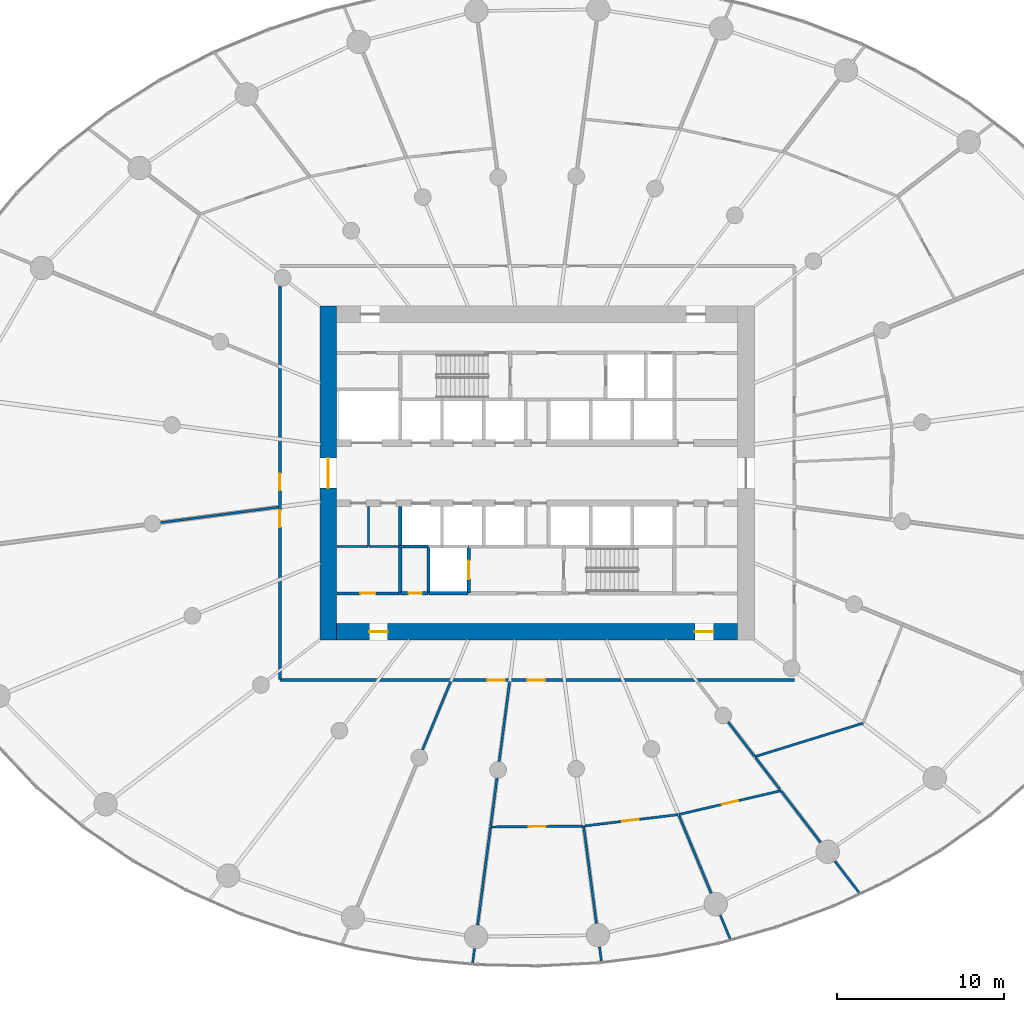
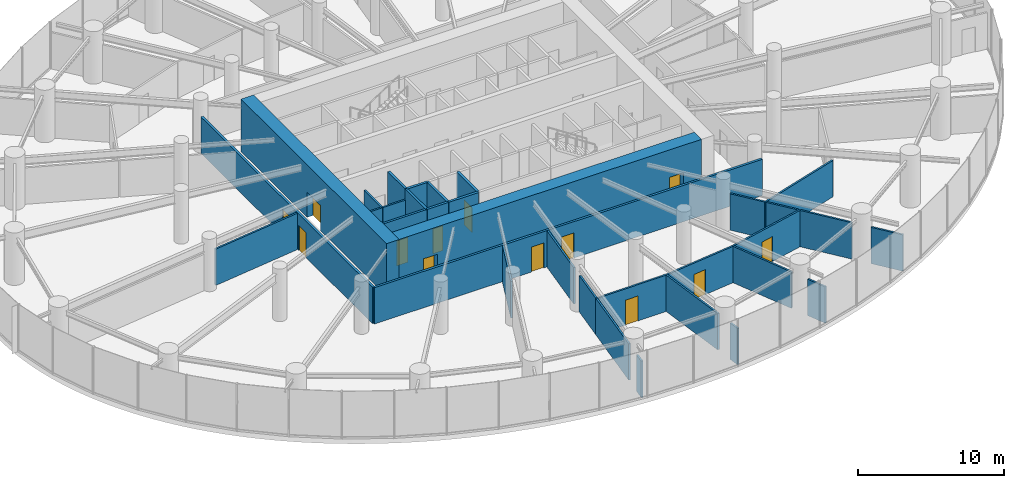
# One storey, part 12 of 19: 33 walls, 13 doors, 13 openings.
"""IFC4 building model written with IfcOpenShell, lengths in metres."""

from ifc_helpers import new_model, si_unit, direction, frame, frame_2d, origin, place, context, subcontext, project, spatial, rectangle, extrude, source, transform, mapped, material, layer, layer_set, type_object, element, fill, save


model = new_model("IFC4")

# Units and contexts
model_context = context("Model", 3, precision=1e-05, world=origin(), true_north=direction((0.0, 1.0)))
body_context = subcontext(model_context, "Body", "Model", "MODEL_VIEW")
ifc_project = project(units=[si_unit("LENGTHUNIT", "METRE"), si_unit("AREAUNIT", "SQUARE_METRE"), si_unit("VOLUMEUNIT", "CUBIC_METRE"), si_unit("PLANEANGLEUNIT", "RADIAN"), si_unit("MASSUNIT", "GRAM", prefix="KILO")], contexts=[model_context])

# Site, building, storey
site_placement = place(None, origin())
site = spatial("IfcSite", under=ifc_project, at=site_placement, CompositionType="ELEMENT")
building_placement = place(site_placement, origin())
building = spatial("IfcBuilding", under=site, at=building_placement, Name="Spindrift Exchange Tower", CompositionType="ELEMENT")
storey_placement = place(building_placement, frame((0.0, 0.0, 27.0)))
storey = spatial("IfcBuildingStorey", under=building, at=storey_placement, Name="L06", CompositionType="ELEMENT", Elevation=27.0)

# Wall, opening, door
ifc_material_1 = material(Name="Concrete 80 MPa", Category="concrete")
ifc_layer_1 = layer(ifc_material_1, 1.0)
ifc_layer_set_1 = layer_set([ifc_layer_1], Name="RC Core Wall 1000 Concrete 80 MPa")
wall_type_1 = type_object("IfcWallType", Name="RC Core Wall 1000 Concrete 80 MPa", PredefinedType="SHEAR", material=ifc_layer_set_1)
wall_1_placement = place(storey_placement, frame((39.5, 58.0, 0.0), z_axis=(0.0, 0.0, 1.0), x_axis=(0.0, -1.0, 0.0)))
wall_1 = element("IfcWall", 1, at=wall_1_placement, inside=storey, type_object=wall_type_1, Name="Core wall W L06", PredefinedType="SHEAR", context=body_context, shape_type="SweptSolid", body=[
    extrude(rectangle(XDim=20.0, YDim=1.0, at=frame_2d((10.0, 0.0))), origin(), (0.0, 0.0, 1.0), 4.39990234375),
])
opening_1_placement = place(wall_1_placement, frame((9.10009765625, 0.0, 0.0)))
opening_1 = element("IfcOpeningElement", 2, at=opening_1_placement, cuts=wall_1, Name="Opening L06-D1", PredefinedType="OPENING", context=body_context, shape_type="SweptSolid", body=[
    extrude(rectangle(XDim=1.800048828125, YDim=2.10009765625, at=frame_2d((0.89990234375, 1.050048828125))), frame((0.0, 0.510009765625, 0.0), z_axis=(0.0, -1.0, 0.0), x_axis=(1.0, 0.0, 0.0)), (0.0, 0.0, 1.0), 1.02001953125),
])
ifc_material_2 = material(Name="Timber-core fire door", Category="wood")
door_type_1 = type_object("IfcDoorType", Name="DR-LOBBY-1800", OperationType="NOTDEFINED", PredefinedType="DOOR", material=ifc_material_2)
shared_shape_1 = source(origin(), body_context, "Body", "SweptSolid", [
    extrude(rectangle(XDim=1.800048828125, YDim=2.10009765625, at=frame_2d((0.89990234375, 1.050048828125))), frame((0.0, 0.02490234375, 0.0), z_axis=(0.0, -1.0, 0.0), x_axis=(1.0, 0.0, 0.0)), (0.0, 0.0, 1.0), 0.050048828125),
])
door_1_placement = place(opening_1_placement, origin())
door_1 = element("IfcDoor", 3, at=door_1_placement, inside=storey, type_object=door_type_1, Name="L06 Lobby door 1", OperationType="SINGLE_SWING_RIGHT", OverallHeight=2.10009765625, OverallWidth=1.800048828125, PredefinedType="DOOR", context=body_context, shape_type="MappedRepresentation", body=[
    mapped(shared_shape_1, transform((0.0, 0.0, 0.0), scale=1.0)),
])
fill(opening_1, door_1)

# Wall, openings, doors
wall_2_placement = place(storey_placement, frame((40.0, 38.5, 0.0), z_axis=(0.0, 0.0, 1.0), x_axis=(1.0, 0.0, 0.0)))
wall_2 = element("IfcWall", 4, at=wall_2_placement, inside=storey, type_object=wall_type_1, Name="Core wall S L06", PredefinedType="SHEAR", context=body_context, shape_type="SweptSolid", body=[
    extrude(rectangle(XDim=24.0, YDim=1.0, at=frame_2d((12.0, 0.0))), origin(), (0.0, 0.0, 1.0), 4.39990234375),
])
opening_2_placement = place(wall_2_placement, frame((21.449951171875, 0.0, 0.0)))
opening_2 = element("IfcOpeningElement", 5, at=opening_2_placement, cuts=wall_2, Name="Opening L06-D22", PredefinedType="OPENING", context=body_context, shape_type="SweptSolid", body=[
    extrude(rectangle(XDim=1.10009765625, YDim=2.10009765625, at=frame_2d((0.550048828125, 1.050048828125))), frame((0.0, 0.510009765625, 0.0), z_axis=(0.0, -1.0, 0.0), x_axis=(1.0, 0.0, 0.0)), (0.0, 0.0, 1.0), 1.02001953125),
])
opening_3_placement = place(wall_2_placement, frame((1.949951171875, 0.0, 0.0)))
opening_3 = element("IfcOpeningElement", 6, at=opening_3_placement, cuts=wall_2, Name="Opening L06-D23", PredefinedType="OPENING", context=body_context, shape_type="SweptSolid", body=[
    extrude(rectangle(XDim=1.10009765625, YDim=2.10009765625, at=frame_2d((0.550048828125, 1.050048828125))), frame((0.0, 0.510009765625, 0.0), z_axis=(0.0, -1.0, 0.0), x_axis=(1.0, 0.0, 0.0)), (0.0, 0.0, 1.0), 1.02001953125),
])
ifc_material_3 = material(Name="Steel fire door", Category="steel")
door_type_2 = type_object("IfcDoorType", Name="DR-STAIR-1100", OperationType="NOTDEFINED", PredefinedType="DOOR", material=ifc_material_3)
shared_shape_2 = source(origin(), body_context, "Body", "SweptSolid", [
    extrude(rectangle(XDim=1.10009765625, YDim=2.10009765625, at=frame_2d((0.550048828125, 1.050048828125))), frame((0.0, 0.02490234375, 0.0), z_axis=(0.0, -1.0, 0.0), x_axis=(1.0, 0.0, 0.0)), (0.0, 0.0, 1.0), 0.050048828125),
])
door_2_placement = place(opening_2_placement, origin())
door_2 = element("IfcDoor", 7, at=door_2_placement, inside=storey, type_object=door_type_2, Name="L06 Stair door 22", OperationType="SINGLE_SWING_LEFT", OverallHeight=2.10009765625, OverallWidth=1.10009765625, PredefinedType="DOOR", context=body_context, shape_type="MappedRepresentation", body=[
    mapped(shared_shape_2, transform((0.0, 0.0, 0.0), scale=1.0)),
])
fill(opening_2, door_2)
door_3_placement = place(opening_3_placement, origin())
door_3 = element("IfcDoor", 8, at=door_3_placement, inside=storey, type_object=door_type_2, Name="L06 Stair door 23", OperationType="SINGLE_SWING_RIGHT", OverallHeight=2.10009765625, OverallWidth=1.10009765625, PredefinedType="DOOR", context=body_context, shape_type="MappedRepresentation", body=[
    mapped(shared_shape_2, transform((0.0, 0.0, 0.0), scale=1.0)),
])
fill(opening_3, door_3)

# Wall, opening, door
ifc_material_4 = material(Name="Fire-rated plasterboard partition", Category="gypsum")
ifc_layer_2 = layer(ifc_material_4, 0.179931640625)
ifc_layer_set_2 = layer_set([ifc_layer_2], Name="W-CORR-180")
wall_type_2 = type_object("IfcWallType", Name="W-CORR-180", PredefinedType="PARTITIONING", material=ifc_layer_set_2)
wall_3_placement = place(storey_placement, frame((40.02001953125, 40.800048828125, 0.0), z_axis=(0.0, 0.0, 1.0), x_axis=(1.0, 0.0, 0.0)))
wall_3 = element("IfcWall", 9, at=wall_3_placement, inside=storey, type_object=wall_type_2, Name="L06 Partition wall 61", PredefinedType="PARTITIONING", context=body_context, shape_type="SweptSolid", body=[
    extrude(rectangle(XDim=3.75, YDim=0.179931640625, at=frame_2d((1.875, 0.0))), origin(), (0.0, 0.0, 1.0), 3.949951171875),
])
opening_4_placement = place(wall_3_placement, frame((1.39990234375, 0.0, 0.0)))
opening_4 = element("IfcOpeningElement", 10, at=opening_4_placement, cuts=wall_3, Name="Opening L06-D50", PredefinedType="OPENING", context=body_context, shape_type="SweptSolid", body=[
    extrude(rectangle(XDim=0.89990234375, YDim=2.10009765625, at=frame_2d((0.449951171875, 1.050048828125))), frame((0.0, 0.099853515625, 0.0), z_axis=(0.0, -1.0, 0.0), x_axis=(1.0, 0.0, 0.0)), (0.0, 0.0, 1.0), 0.199951171875),
])
ifc_material_5 = material(Name="Steel access door", Category="steel")
door_type_3 = type_object("IfcDoorType", Name="DR-RISER-900", OperationType="NOTDEFINED", PredefinedType="DOOR", material=ifc_material_5)
shared_shape_3 = source(origin(), body_context, "Body", "SweptSolid", [
    extrude(rectangle(XDim=0.89990234375, YDim=2.10009765625, at=frame_2d((0.449951171875, 1.050048828125))), frame((0.0, 0.02490234375, 0.0), z_axis=(0.0, -1.0, 0.0), x_axis=(1.0, 0.0, 0.0)), (0.0, 0.0, 1.0), 0.050048828125),
])
door_4_placement = place(opening_4_placement, origin())
door_4 = element("IfcDoor", 11, at=door_4_placement, inside=storey, type_object=door_type_3, Name="L06 Riser door 50", OperationType="SINGLE_SWING_LEFT", OverallHeight=2.10009765625, OverallWidth=0.89990234375, PredefinedType="DOOR", context=body_context, shape_type="MappedRepresentation", body=[
    mapped(shared_shape_3, transform((0.0, 0.0, 0.0), scale=1.0)),
])
fill(opening_4, door_4)

ifc_layer_3 = layer(ifc_material_4, 0.139892578125)
ifc_layer_set_3 = layer_set([ifc_layer_3], Name="W-PART-140")
wall_type_3 = type_object("IfcWallType", Name="W-PART-140", PredefinedType="PARTITIONING", material=ifc_layer_set_3)
wall_4_placement = place(storey_placement, frame((66.591796875, 28.983642578125, 0.0), z_axis=(0.0, 0.0, 1.0), x_axis=(-0.973907326405, -0.226946071954, 0.0)))
wall_4 = element("IfcWall", 12, at=wall_4_placement, inside=storey, type_object=wall_type_3, Name="L06 Partition wall 81", PredefinedType="PARTITIONING", context=body_context, shape_type="SweptSolid", body=[
    extrude(rectangle(XDim=6.287841796875, YDim=0.139892578125, at=frame_2d((3.14404296875, 0.0))), origin(), (0.0, 0.0, 1.0), 3.050048828125),
])
opening_5_placement = place(wall_4_placement, frame((2.637939453125, 0.0, 0.0)))
opening_5 = element("IfcOpeningElement", 13, at=opening_5_placement, cuts=wall_4, Name="Opening L06-D45", PredefinedType="OPENING", context=body_context, shape_type="SweptSolid", body=[
    extrude(rectangle(XDim=1.0, YDim=2.10009765625, at=frame_2d((0.5, 1.050048828125))), frame((0.0, 0.079833984375, 0.0), z_axis=(0.0, -1.0, 0.0), x_axis=(1.0, 0.0, 0.0)), (0.0, 0.0, 1.0), 0.159912109375),
])
door_type_4 = type_object("IfcDoorType", Name="DR-ROOM-1000", OperationType="NOTDEFINED", PredefinedType="DOOR", material=ifc_material_2)
shared_shape_4 = source(origin(), body_context, "Body", "SweptSolid", [
    extrude(rectangle(XDim=1.0, YDim=2.10009765625, at=frame_2d((0.5, 1.050048828125))), frame((0.0, 0.02490234375, 0.0), z_axis=(0.0, -1.0, 0.0), x_axis=(1.0, 0.0, 0.0)), (0.0, 0.0, 1.0), 0.050048828125),
])
door_5_placement = place(opening_5_placement, origin())
door_5 = element("IfcDoor", 14, at=door_5_placement, inside=storey, type_object=door_type_4, Name="L06 Door 45", OperationType="SINGLE_SWING_RIGHT", OverallHeight=2.10009765625, OverallWidth=1.0, PredefinedType="DOOR", context=body_context, shape_type="MappedRepresentation", body=[
    mapped(shared_shape_4, transform((0.0, 0.0, 0.0), scale=1.0)),
])
fill(opening_5, door_5)

# Wall
wall_5_placement = place(storey_placement, frame((54.7822265625, 26.866455078125, 0.0), z_axis=(0.0, 0.0, 1.0), x_axis=(0.130542585571, -0.99144270301, 0.0)))
element("IfcWall", 15, at=wall_5_placement, inside=storey, type_object=wall_type_3, Name="L06 Partition wall 85", PredefinedType="PARTITIONING", context=body_context, shape_type="SweptSolid", body=[
    extrude(rectangle(XDim=5.8798828125, YDim=0.139892578125, at=frame_2d((2.93994140625, 0.0))), origin(), (0.0, 0.0, 1.0), 3.050048828125),
])

# Wall, opening, door
wall_6_placement = place(storey_placement, frame((60.438232421875, 27.552978515625, 0.0), z_axis=(0.0, 0.0, 1.0), x_axis=(-0.992716024963, -0.12047777298, 0.0)))
wall_6 = element("IfcWall", 16, at=wall_6_placement, inside=storey, type_object=wall_type_3, Name="L06 Partition wall 89", PredefinedType="PARTITIONING", context=body_context, shape_type="SweptSolid", body=[
    extrude(rectangle(XDim=5.62744140625, YDim=0.139892578125, at=frame_2d((2.813720703125, 0.0))), origin(), (0.0, 0.0, 1.0), 3.050048828125),
])
opening_6_placement = place(wall_6_placement, frame((2.37744140625, 0.0, 0.0)))
opening_6 = element("IfcOpeningElement", 17, at=opening_6_placement, cuts=wall_6, Name="Opening L06-D44", PredefinedType="OPENING", context=body_context, shape_type="SweptSolid", body=[
    extrude(rectangle(XDim=1.0, YDim=2.10009765625, at=frame_2d((0.5, 1.050048828125))), frame((0.0, 0.079833984375, 0.0), z_axis=(0.0, -1.0, 0.0), x_axis=(1.0, 0.0, 0.0)), (0.0, 0.0, 1.0), 0.159912109375),
])
door_6_placement = place(opening_6_placement, origin())
door_6 = element("IfcDoor", 18, at=door_6_placement, inside=storey, type_object=door_type_4, Name="L06 Door 44", OperationType="SINGLE_SWING_LEFT", OverallHeight=2.10009765625, OverallWidth=1.0, PredefinedType="DOOR", context=body_context, shape_type="MappedRepresentation", body=[
    mapped(shared_shape_4, transform((0.0, 0.0, 0.0), scale=1.0)),
])
fill(opening_6, door_6)

wall_7_placement = place(storey_placement, frame((54.752197265625, 26.8662109375, 0.0), z_axis=(0.0, 0.0, 1.0), x_axis=(-0.999953808147, -0.009611533326, 0.0)))
wall_7 = element("IfcWall", 19, at=wall_7_placement, inside=storey, type_object=wall_type_3, Name="L06 Partition wall 91", PredefinedType="PARTITIONING", context=body_context, shape_type="SweptSolid", body=[
    extrude(rectangle(XDim=5.511962890625, YDim=0.139892578125, at=frame_2d((2.755859375, 0.0))), origin(), (0.0, 0.0, 1.0), 3.050048828125),
])
opening_7_placement = place(wall_7_placement, frame((2.261962890625, 0.0, 0.0)))
opening_7 = element("IfcOpeningElement", 20, at=opening_7_placement, cuts=wall_7, Name="Opening L06-D43", PredefinedType="OPENING", context=body_context, shape_type="SweptSolid", body=[
    extrude(rectangle(XDim=1.0, YDim=2.10009765625, at=frame_2d((0.5, 1.050048828125))), frame((0.0, 0.079833984375, 0.0), z_axis=(0.0, -1.0, 0.0), x_axis=(1.0, 0.0, 0.0)), (0.0, 0.0, 1.0), 0.159912109375),
])
door_7_placement = place(opening_7_placement, origin())
door_7 = element("IfcDoor", 21, at=door_7_placement, inside=storey, type_object=door_type_4, Name="L06 Door 43", OperationType="SINGLE_SWING_RIGHT", OverallHeight=2.10009765625, OverallWidth=1.0, PredefinedType="DOOR", context=body_context, shape_type="MappedRepresentation", body=[
    mapped(shared_shape_4, transform((0.0, 0.0, 0.0), scale=1.0)),
])
fill(opening_7, door_7)

# Walls
wall_8_placement = place(storey_placement, frame((60.4951171875, 27.490966796875, 0.0), z_axis=(0.0, 0.0, 1.0), x_axis=(0.382674650858, -0.923883169882, 0.0)))
element("IfcWall", 22, at=wall_8_placement, inside=storey, type_object=wall_type_3, Name="L06 Partition wall 97", PredefinedType="PARTITIONING", context=body_context, shape_type="SweptSolid", body=[
    extrude(rectangle(XDim=5.03125, YDim=0.139892578125, at=frame_2d((2.515625, 0.0))), origin(), (0.0, 0.0, 1.0), 3.050048828125),
])
wall_9_placement = place(storey_placement, frame((66.610107421875, 28.9599609375, 0.0), z_axis=(0.0, 0.0, 1.0), x_axis=(0.608747750124, -0.793363836282, 0.0)))
element("IfcWall", 23, at=wall_9_placement, inside=storey, type_object=wall_type_3, Name="L06 Partition wall 104", PredefinedType="PARTITIONING", context=body_context, shape_type="SweptSolid", body=[
    extrude(rectangle(XDim=3.873291015625, YDim=0.139892578125, at=frame_2d((1.9365234375, 0.0))), origin(), (0.0, 0.0, 1.0), 3.050048828125),
])
wall_10_placement = place(storey_placement, frame((65.0751953125, 30.960205078125, 0.0), z_axis=(0.0, 0.0, 1.0), x_axis=(0.608732944488, -0.79337519642, 0.0)))
element("IfcWall", 24, at=wall_10_placement, inside=storey, type_object=wall_type_3, Name="L06 Partition wall 118", PredefinedType="PARTITIONING", context=body_context, shape_type="SweptSolid", body=[
    extrude(rectangle(XDim=2.414306640625, YDim=0.139892578125, at=frame_2d((1.20703125, 0.0))), origin(), (0.0, 0.0, 1.0), 3.050048828125),
])
wall_11_placement = place(storey_placement, frame((41.89990234375, 43.60009765625, 0.0), z_axis=(0.0, 0.0, 1.0), x_axis=(0.0, 1.0, 0.0)))
element("IfcWall", 25, at=wall_11_placement, inside=storey, type_object=wall_type_3, Name="L06 Partition wall 119", PredefinedType="PARTITIONING", context=body_context, shape_type="SweptSolid", body=[
    extrude(rectangle(XDim=2.389892578125, YDim=0.139892578125, at=frame_2d((1.19482421875, 0.0))), origin(), (0.0, 0.0, 1.0), 3.050048828125),
])
wall_12_placement = place(storey_placement, frame((69.8251953125, 24.76953125, 0.0), z_axis=(0.0, 0.0, 1.0), x_axis=(0.608785845346, -0.793334604379, 0.0)))
element("IfcWall", 26, at=wall_12_placement, inside=storey, type_object=wall_type_3, Name="L06 Partition wall 121", PredefinedType="PARTITIONING", context=body_context, shape_type="SweptSolid", body=[
    extrude(rectangle(XDim=2.386474609375, YDim=0.139892578125, at=frame_2d((1.193359375, 0.0))), origin(), (0.0, 0.0, 1.0), 3.050048828125),
])
wall_13_placement = place(storey_placement, frame((43.77001953125, 43.60009765625, 0.0), z_axis=(0.0, 0.0, 1.0), x_axis=(-1.0, 0.0, 0.0)))
element("IfcWall", 27, at=wall_13_placement, inside=storey, type_object=wall_type_3, Name="L06 Partition wall 124", PredefinedType="PARTITIONING", context=body_context, shape_type="SweptSolid", body=[
    extrude(rectangle(XDim=1.840087890625, YDim=0.139892578125, at=frame_2d((0.919921875, 0.0))), origin(), (0.0, 0.0, 1.0), 3.050048828125),
])
wall_14_placement = place(storey_placement, frame((41.8701171875, 43.60009765625, 0.0), z_axis=(0.0, 0.0, 1.0), x_axis=(-1.0, 0.0, 0.0)))
element("IfcWall", 28, at=wall_14_placement, inside=storey, type_object=wall_type_3, Name="L06 Partition wall 126", PredefinedType="PARTITIONING", context=body_context, shape_type="SweptSolid", body=[
    extrude(rectangle(XDim=1.85009765625, YDim=0.139892578125, at=frame_2d((0.925048828125, 0.0))), origin(), (0.0, 0.0, 1.0), 3.050048828125),
])
wall_15_placement = place(storey_placement, frame((62.960205078125, 21.5400390625, 0.0), z_axis=(0.0, 0.0, 1.0), x_axis=(0.382521566015, -0.923946563138, 0.0)))
element("IfcWall", 29, at=wall_15_placement, inside=storey, type_object=wall_type_3, Name="L06 Partition wall 129", PredefinedType="PARTITIONING", context=body_context, shape_type="SweptSolid", body=[
    extrude(rectangle(XDim=1.524169921875, YDim=0.139892578125, at=frame_2d((0.76220703125, 0.0))), origin(), (0.0, 0.0, 1.0), 3.050048828125),
])
wall_16_placement = place(storey_placement, frame((55.733642578125, 19.640380859375, 0.0), z_axis=(0.0, 0.0, 1.0), x_axis=(0.130342122338, -0.991469077251, 0.0)))
element("IfcWall", 30, at=wall_16_placement, inside=storey, type_object=wall_type_3, Name="L06 Partition wall 140", PredefinedType="PARTITIONING", context=body_context, shape_type="SweptSolid", body=[
    extrude(rectangle(XDim=0.8427734375, YDim=0.139892578125, at=frame_2d((0.42138671875, 0.0))), origin(), (0.0, 0.0, 1.0), 3.050048828125),
])
ifc_layer_4 = layer(ifc_material_4, 0.139892578125)
ifc_layer_set_4 = layer_set([ifc_layer_4], Name="W-PLANT-140")
wall_type_4 = type_object("IfcWallType", Name="W-PLANT-140", PredefinedType="PARTITIONING", material=ifc_layer_set_4)
wall_17_placement = place(storey_placement, frame((36.510009765625, 45.960693359375, 0.0), z_axis=(0.0, 0.0, 1.0), x_axis=(-0.99144622305, -0.130515848849, 0.0)))
element("IfcWall", 31, at=wall_17_placement, inside=storey, type_object=wall_type_4, Name="L06 Partition wall 71", PredefinedType="PARTITIONING", context=body_context, shape_type="SweptSolid", body=[
    extrude(rectangle(XDim=7.1044921875, YDim=0.139892578125, at=frame_2d((3.55224609375, 0.0))), origin(), (0.0, 0.0, 1.0), 3.050048828125),
])
wall_18_placement = place(storey_placement, frame((65.029541015625, 31.01953125, 0.0), z_axis=(0.0, 0.0, 1.0), x_axis=(0.955222723313, 0.295887730172, 0.0)))
element("IfcWall", 32, at=wall_18_placement, inside=storey, type_object=wall_type_4, Name="L06 Partition wall 75", PredefinedType="PARTITIONING", context=body_context, shape_type="SweptSolid", body=[
    extrude(rectangle(XDim=6.78662109375, YDim=0.139892578125, at=frame_2d((3.393310546875, 0.0))), origin(), (0.0, 0.0, 1.0), 3.050048828125),
])
wall_19_placement = place(storey_placement, frame((49.210693359375, 26.81298828125, 0.0), z_axis=(0.0, 0.0, 1.0), x_axis=(-0.130536559076, -0.991443496496, 0.0)))
element("IfcWall", 33, at=wall_19_placement, inside=storey, type_object=wall_type_4, Name="L06 Partition wall 82", PredefinedType="PARTITIONING", context=body_context, shape_type="SweptSolid", body=[
    extrude(rectangle(XDim=5.927001953125, YDim=0.139892578125, at=frame_2d((2.96337890625, 0.0))), origin(), (0.0, 0.0, 1.0), 3.050048828125),
])
wall_20_placement = place(storey_placement, frame((50.355712890625, 35.510009765625, 0.0), z_axis=(0.0, 0.0, 1.0), x_axis=(-0.130523979823, -0.991445152639, 0.0)))
element("IfcWall", 34, at=wall_20_placement, inside=storey, type_object=wall_type_4, Name="L06 Partition wall 98", PredefinedType="PARTITIONING", context=body_context, shape_type="SweptSolid", body=[
    extrude(rectangle(XDim=4.818359375, YDim=0.139892578125, at=frame_2d((2.4091796875, 0.0))), origin(), (0.0, 0.0, 1.0), 3.050048828125),
])
wall_21_placement = place(storey_placement, frame((46.826416015625, 35.510009765625, 0.0), z_axis=(0.0, 0.0, 1.0), x_axis=(-0.382672831764, -0.923883923353, 0.0)))
element("IfcWall", 35, at=wall_21_placement, inside=storey, type_object=wall_type_4, Name="L06 Partition wall 102", PredefinedType="PARTITIONING", context=body_context, shape_type="SweptSolid", body=[
    extrude(rectangle(XDim=4.410400390625, YDim=0.139892578125, at=frame_2d((2.205078125, 0.0))), origin(), (0.0, 0.0, 1.0), 3.050048828125),
])
wall_22_placement = place(storey_placement, frame((49.594970703125, 29.732666015625, 0.0), z_axis=(0.0, 0.0, 1.0), x_axis=(-0.130484843212, -0.991450304197, 0.0)))
element("IfcWall", 36, at=wall_22_placement, inside=storey, type_object=wall_type_4, Name="L06 Partition wall 113", PredefinedType="PARTITIONING", context=body_context, shape_type="SweptSolid", body=[
    extrude(rectangle(XDim=2.9150390625, YDim=0.139892578125, at=frame_2d((1.45751953125, 0.0))), origin(), (0.0, 0.0, 1.0), 3.050048828125),
])
wall_23_placement = place(storey_placement, frame((63.44091796875, 33.08984375, 0.0), z_axis=(0.0, 0.0, 1.0), x_axis=(0.608791083389, -0.793330584805, 0.0)))
element("IfcWall", 37, at=wall_23_placement, inside=storey, type_object=wall_type_4, Name="L06 Partition wall 117", PredefinedType="PARTITIONING", context=body_context, shape_type="SweptSolid", body=[
    extrude(rectangle(XDim=2.579833984375, YDim=0.139892578125, at=frame_2d((1.2900390625, 0.0))), origin(), (0.0, 0.0, 1.0), 3.050048828125),
])
wall_24_placement = place(storey_placement, frame((48.253173828125, 19.540283203125, 0.0), z_axis=(0.0, 0.0, 1.0), x_axis=(-0.1304619789, -0.991453313102, 0.0)))
element("IfcWall", 38, at=wall_24_placement, inside=storey, type_object=wall_type_4, Name="L06 Partition wall 137", PredefinedType="PARTITIONING", context=body_context, shape_type="SweptSolid", body=[
    extrude(rectangle(XDim=0.845947265625, YDim=0.139892578125, at=frame_2d((0.4228515625, 0.0))), origin(), (0.0, 0.0, 1.0), 3.050048828125),
])

# Wall, openings, doors
ifc_layer_5 = layer(ifc_material_4, 0.179931640625)
ifc_layer_set_5 = layer_set([ifc_layer_5], Name="W-PLANT-180")
wall_type_5 = type_object("IfcWallType", Name="W-PLANT-180", PredefinedType="PARTITIONING", material=ifc_layer_set_5)
wall_25_placement = place(storey_placement, frame((67.39990234375, 35.60009765625, 0.0), z_axis=(0.0, 0.0, 1.0), x_axis=(-1.0, 0.0, 0.0)))
wall_25 = element("IfcWall", 39, at=wall_25_placement, inside=storey, type_object=wall_type_5, Name="L06 Partition wall 57", PredefinedType="PARTITIONING", context=body_context, shape_type="SweptSolid", body=[
    extrude(rectangle(XDim=30.7998046875, YDim=0.179931640625, at=frame_2d((15.39990234375, 0.0))), origin(), (0.0, 0.0, 1.0), 3.050048828125),
])
opening_8_placement = place(wall_25_placement, frame((17.35009765625, 0.0, 0.0)))
opening_8 = element("IfcOpeningElement", 40, at=opening_8_placement, cuts=wall_25, Name="Opening L06-D41", PredefinedType="OPENING", context=body_context, shape_type="SweptSolid", body=[
    extrude(rectangle(XDim=1.0, YDim=2.10009765625, at=frame_2d((0.5, 1.050048828125))), frame((0.0, 0.099853515625, 0.0), z_axis=(0.0, -1.0, 0.0), x_axis=(1.0, 0.0, 0.0)), (0.0, 0.0, 1.0), 0.199951171875),
])
opening_9_placement = place(wall_25_placement, frame((14.949951171875, 0.0, 0.0)))
opening_9 = element("IfcOpeningElement", 41, at=opening_9_placement, cuts=wall_25, Name="Opening L06-D42", PredefinedType="OPENING", context=body_context, shape_type="SweptSolid", body=[
    extrude(rectangle(XDim=1.0, YDim=2.10009765625, at=frame_2d((0.5, 1.050048828125))), frame((0.0, 0.099853515625, 0.0), z_axis=(0.0, -1.0, 0.0), x_axis=(1.0, 0.0, 0.0)), (0.0, 0.0, 1.0), 0.199951171875),
])
door_8_placement = place(opening_8_placement, origin())
door_8 = element("IfcDoor", 42, at=door_8_placement, inside=storey, type_object=door_type_4, Name="L06 Door 41", OperationType="SINGLE_SWING_RIGHT", OverallHeight=2.10009765625, OverallWidth=1.0, PredefinedType="DOOR", context=body_context, shape_type="MappedRepresentation", body=[
    mapped(shared_shape_4, transform((0.0, 0.0, 0.0), scale=1.0)),
])
fill(opening_8, door_8)
door_9_placement = place(opening_9_placement, origin())
door_9 = element("IfcDoor", 43, at=door_9_placement, inside=storey, type_object=door_type_4, Name="L06 Door 42", OperationType="SINGLE_SWING_LEFT", OverallHeight=2.10009765625, OverallWidth=1.0, PredefinedType="DOOR", context=body_context, shape_type="MappedRepresentation", body=[
    mapped(shared_shape_4, transform((0.0, 0.0, 0.0), scale=1.0)),
])
fill(opening_9, door_9)

wall_26_placement = place(storey_placement, frame((36.60009765625, 35.6298828125, 0.0), z_axis=(0.0, 0.0, 1.0), x_axis=(0.0, 1.0, 0.0)))
wall_26 = element("IfcWall", 44, at=wall_26_placement, inside=storey, type_object=wall_type_5, Name="L06 Partition wall 60", PredefinedType="PARTITIONING", context=body_context, shape_type="SweptSolid", body=[
    extrude(rectangle(XDim=23.58251953125, YDim=0.179931640625, at=frame_2d((11.791259765625, 0.0))), origin(), (0.0, 0.0, 1.0), 3.050048828125),
])
opening_10_placement = place(wall_26_placement, frame((11.33251953125, 0.0, 0.0)))
opening_10 = element("IfcOpeningElement", 45, at=opening_10_placement, cuts=wall_26, Name="Opening L06-D39", PredefinedType="OPENING", context=body_context, shape_type="SweptSolid", body=[
    extrude(rectangle(XDim=1.0, YDim=2.10009765625, at=frame_2d((0.5, 1.050048828125))), frame((0.0, 0.099853515625, 0.0), z_axis=(0.0, -1.0, 0.0), x_axis=(1.0, 0.0, 0.0)), (0.0, 0.0, 1.0), 0.199951171875),
])
opening_11_placement = place(wall_26_placement, frame((9.132568359375, 0.0, 0.0)))
opening_11 = element("IfcOpeningElement", 46, at=opening_11_placement, cuts=wall_26, Name="Opening L06-D40", PredefinedType="OPENING", context=body_context, shape_type="SweptSolid", body=[
    extrude(rectangle(XDim=1.0, YDim=2.10009765625, at=frame_2d((0.5, 1.050048828125))), frame((0.0, 0.099853515625, 0.0), z_axis=(0.0, -1.0, 0.0), x_axis=(1.0, 0.0, 0.0)), (0.0, 0.0, 1.0), 0.199951171875),
])
door_10_placement = place(opening_10_placement, origin())
door_10 = element("IfcDoor", 47, at=door_10_placement, inside=storey, type_object=door_type_4, Name="L06 Door 39", OperationType="SINGLE_SWING_RIGHT", OverallHeight=2.10009765625, OverallWidth=1.0, PredefinedType="DOOR", context=body_context, shape_type="MappedRepresentation", body=[
    mapped(shared_shape_4, transform((0.0, 0.0, 0.0), scale=1.0)),
])
fill(opening_10, door_10)
door_11_placement = place(opening_11_placement, origin())
door_11 = element("IfcDoor", 48, at=door_11_placement, inside=storey, type_object=door_type_4, Name="L06 Door 40", OperationType="SINGLE_SWING_LEFT", OverallHeight=2.10009765625, OverallWidth=1.0, PredefinedType="DOOR", context=body_context, shape_type="MappedRepresentation", body=[
    mapped(shared_shape_4, transform((0.0, 0.0, 0.0), scale=1.0)),
])
fill(opening_11, door_11)

# Walls
ifc_material_6 = material(Name="Concrete 40 MPa", Category="concrete")
ifc_layer_6 = layer(ifc_material_6, 0.199951171875)
ifc_layer_set_6 = layer_set([ifc_layer_6], Name="W-SHAFT-200")
wall_type_6 = type_object("IfcWallType", Name="W-SHAFT-200", PredefinedType="SOLIDWALL", material=ifc_layer_set_6)
for number, where, z_axis, x_axis, name in (
    (49, (43.800048828125, 43.60009765625, 0.0), (0.0, 0.0, 1.0), (0.0, -1.0, 0.0), "L06 Shaft wall 6"),
    (50, (45.5, 43.60009765625, 0.0), (0.0, 0.0, 1.0), (0.0, -1.0, 0.0), "L06 Shaft wall 7"),
):
    element("IfcWall", number, at=place(storey_placement, frame(where, z_axis=z_axis, x_axis=x_axis)), inside=storey, type_object=wall_type_6, Name=name, PredefinedType="SOLIDWALL", context=body_context, shape_type="SweptSolid", body=[
        extrude(rectangle(XDim=2.800048828125, YDim=0.199951171875, at=frame_2d((1.39990234375, 0.0))), origin(), (0.0, 0.0, 1.0), 3.949951171875),
    ])

# Wall, opening, door
wall_27_placement = place(storey_placement, frame((47.89990234375, 40.830078125, 0.0), z_axis=(0.0, 0.0, 1.0), x_axis=(0.0, 1.0, 0.0)))
wall_27 = element("IfcWall", 51, at=wall_27_placement, inside=storey, type_object=wall_type_6, Name="L06 Shaft wall 8", PredefinedType="SOLIDWALL", context=body_context, shape_type="SweptSolid", body=[
    extrude(rectangle(XDim=2.77001953125, YDim=0.199951171875, at=frame_2d((1.385009765625, 0.0))), origin(), (0.0, 0.0, 1.0), 3.949951171875),
])
opening_12_placement = place(wall_27_placement, frame((0.820068359375, 0.0, 0.0)))
opening_12 = element("IfcOpeningElement", 52, at=opening_12_placement, cuts=wall_27, Name="Opening L06-D10", PredefinedType="OPENING", context=body_context, shape_type="SweptSolid", body=[
    extrude(rectangle(XDim=1.10009765625, YDim=2.10009765625, at=frame_2d((0.550048828125, 1.050048828125))), frame((0.0, 0.10986328125, 0.0), z_axis=(0.0, -1.0, 0.0), x_axis=(1.0, 0.0, 0.0)), (0.0, 0.0, 1.0), 0.219970703125),
])
ifc_material_7 = material(Name="Stainless steel landing door", Category="steel")
door_type_5 = type_object("IfcDoorType", Name="DR-LANDING-1100-SL", OperationType="DOUBLE_DOOR_SLIDING", PredefinedType="USERDEFINED", material=ifc_material_7)
shared_shape_5 = source(origin(), body_context, "Body", "SweptSolid", [
    extrude(rectangle(XDim=1.10009765625, YDim=2.10009765625, at=frame_2d((0.550048828125, 1.050048828125))), frame((0.0, 0.02490234375, 0.0), z_axis=(0.0, -1.0, 0.0), x_axis=(1.0, 0.0, 0.0)), (0.0, 0.0, 1.0), 0.050048828125),
])
door_12_placement = place(opening_12_placement, origin())
door_12 = element("IfcDoor", 53, at=door_12_placement, inside=storey, type_object=door_type_5, Name="L06 Lift landing door 10", ObjectType="LANDING DOOR", OperationType="DOUBLE_DOOR_SLIDING", OverallHeight=2.10009765625, OverallWidth=1.10009765625, PredefinedType="USERDEFINED", context=body_context, shape_type="MappedRepresentation", body=[
    mapped(shared_shape_5, transform((0.0, 0.0, 0.0), scale=1.0)),
])
fill(opening_12, door_12)

# Walls
wall_28_placement = place(storey_placement, frame((45.530029296875, 40.800048828125, 0.0), z_axis=(0.0, 0.0, 1.0), x_axis=(1.0, 0.0, 0.0)))
element("IfcWall", 54, at=wall_28_placement, inside=storey, type_object=wall_type_6, Name="L06 Shaft wall 21", PredefinedType="SOLIDWALL", context=body_context, shape_type="SweptSolid", body=[
    extrude(rectangle(XDim=2.340087890625, YDim=0.199951171875, at=frame_2d((1.169921875, 0.0))), origin(), (0.0, 0.0, 1.0), 3.949951171875),
])
wall_29_placement = place(storey_placement, frame((43.800048828125, 45.989990234375, 0.0), z_axis=(0.0, 0.0, 1.0), x_axis=(0.0, -1.0, 0.0)))
element("IfcWall", 55, at=wall_29_placement, inside=storey, type_object=wall_type_6, Name="L06 Shaft wall 23", PredefinedType="SOLIDWALL", context=body_context, shape_type="SweptSolid", body=[
    extrude(rectangle(XDim=2.360107421875, YDim=0.199951171875, at=frame_2d((1.18017578125, 0.0))), origin(), (0.0, 0.0, 1.0), 3.949951171875),
])
wall_30_placement = place(storey_placement, frame((43.830078125, 43.60009765625, 0.0), z_axis=(0.0, 0.0, 1.0), x_axis=(1.0, 0.0, 0.0)))
element("IfcWall", 56, at=wall_30_placement, inside=storey, type_object=wall_type_6, Name="L06 Shaft wall 40", PredefinedType="SOLIDWALL", context=body_context, shape_type="SweptSolid", body=[
    extrude(rectangle(XDim=1.639892578125, YDim=0.199951171875, at=frame_2d((0.81982421875, 0.0))), origin(), (0.0, 0.0, 1.0), 3.949951171875),
])

# Wall, opening, door
wall_31_placement = place(storey_placement, frame((43.830078125, 40.800048828125, 0.0), z_axis=(0.0, 0.0, 1.0), x_axis=(1.0, 0.0, 0.0)))
wall_31 = element("IfcWall", 57, at=wall_31_placement, inside=storey, type_object=wall_type_6, Name="L06 Shaft wall 41", PredefinedType="SOLIDWALL", context=body_context, shape_type="SweptSolid", body=[
    extrude(rectangle(XDim=1.639892578125, YDim=0.199951171875, at=frame_2d((0.81982421875, 0.0))), origin(), (0.0, 0.0, 1.0), 3.949951171875),
])
opening_13_placement = place(wall_31_placement, frame((0.469970703125, 0.0, 0.0)))
opening_13 = element("IfcOpeningElement", 58, at=opening_13_placement, cuts=wall_31, Name="Opening L06-D19", PredefinedType="OPENING", context=body_context, shape_type="SweptSolid", body=[
    extrude(rectangle(XDim=0.800048828125, YDim=2.10009765625, at=frame_2d((0.39990234375, 1.050048828125))), frame((0.0, 0.10986328125, 0.0), z_axis=(0.0, -1.0, 0.0), x_axis=(1.0, 0.0, 0.0)), (0.0, 0.0, 1.0), 0.219970703125),
])
door_type_6 = type_object("IfcDoorType", Name="DR-RISER-800", OperationType="NOTDEFINED", PredefinedType="DOOR", material=ifc_material_5)
shared_shape_6 = source(origin(), body_context, "Body", "SweptSolid", [
    extrude(rectangle(XDim=0.800048828125, YDim=2.10009765625, at=frame_2d((0.39990234375, 1.050048828125))), frame((0.0, 0.02490234375, 0.0), z_axis=(0.0, -1.0, 0.0), x_axis=(1.0, 0.0, 0.0)), (0.0, 0.0, 1.0), 0.050048828125),
])
door_13_placement = place(opening_13_placement, origin())
door_13 = element("IfcDoor", 59, at=door_13_placement, inside=storey, type_object=door_type_6, Name="L06 Riser door 19", OperationType="SINGLE_SWING_RIGHT", OverallHeight=2.10009765625, OverallWidth=0.800048828125, PredefinedType="DOOR", context=body_context, shape_type="MappedRepresentation", body=[
    mapped(shared_shape_6, transform((0.0, 0.0, 0.0), scale=1.0)),
])
fill(opening_13, door_13)

save(model, "model.ifc")
